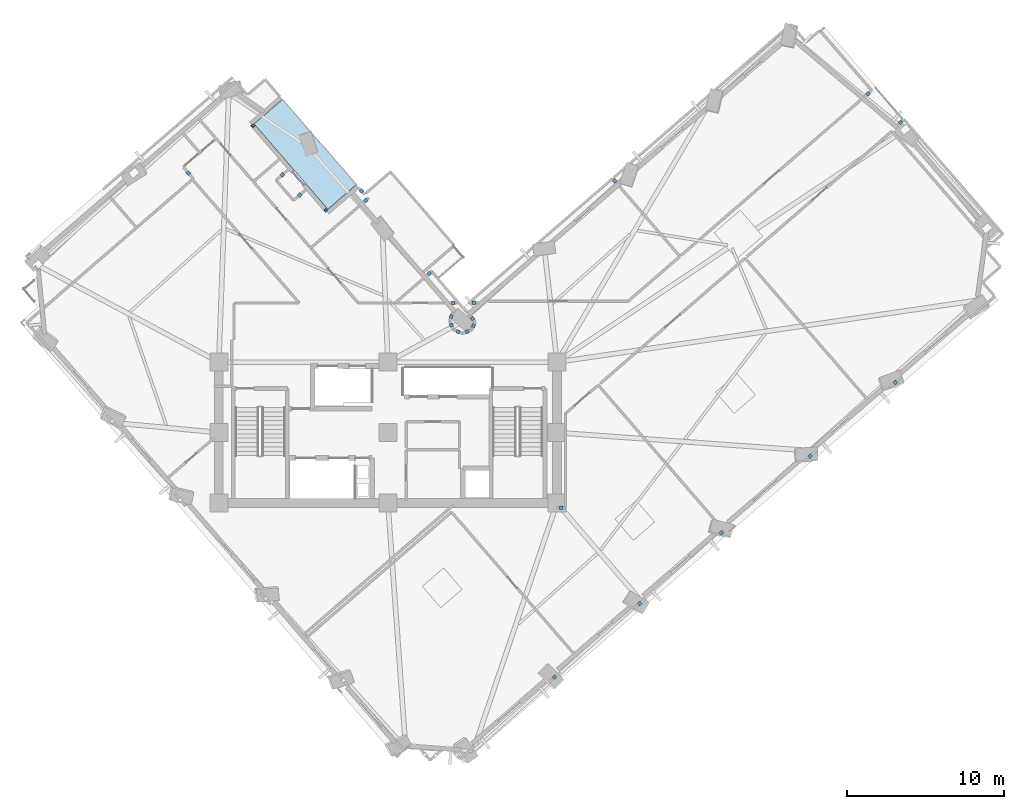
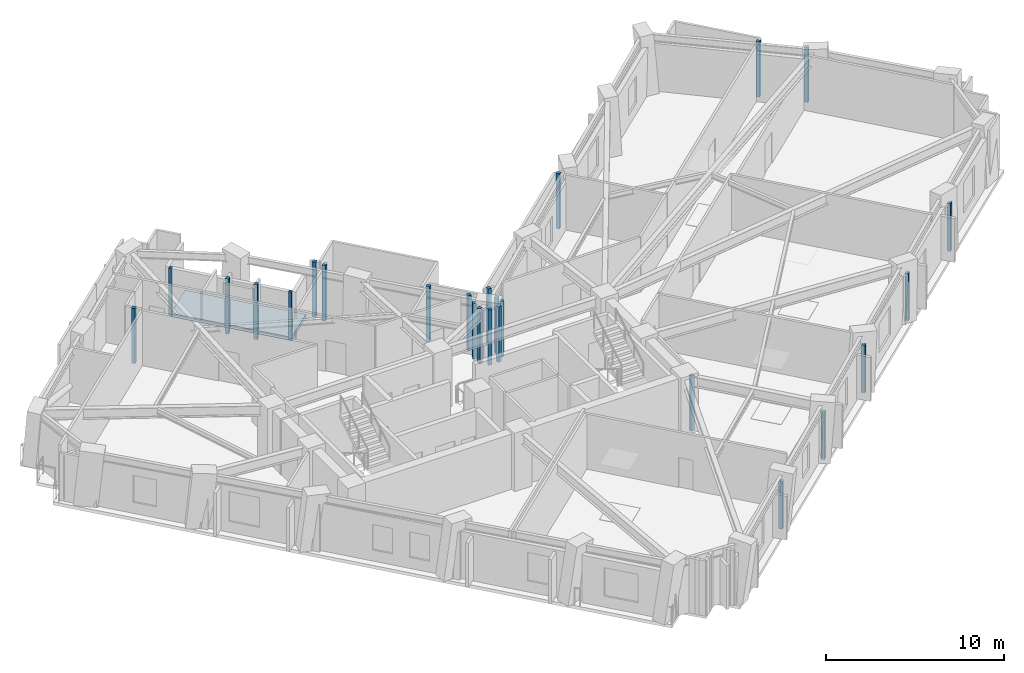
# One storey, part 4 of 14: 25 plates, 1 slab.
"""IFC4 building model written with IfcOpenShell, lengths in metres."""

from ifc_helpers import new_model, si_unit, direction, frame, origin, origin_2d, place, context, subcontext, project, spatial, polyline, rectangle, outline, extrude, material, layer, layer_set, type_object, element, save


model = new_model("IFC4")

# Units and contexts
model_context = context("Model", 3, precision=1e-05, world=origin(), true_north=direction((0.0, 1.0)))
body_context = subcontext(model_context, "Body", "Model", "MODEL_VIEW")
ifc_project = project(units=[si_unit("LENGTHUNIT", "METRE"), si_unit("AREAUNIT", "SQUARE_METRE"), si_unit("VOLUMEUNIT", "CUBIC_METRE"), si_unit("PLANEANGLEUNIT", "RADIAN"), si_unit("MASSUNIT", "GRAM", prefix="KILO")], contexts=[model_context])

# Site, building, storey
site_placement = place(None, origin())
site = spatial("IfcSite", under=ifc_project, at=site_placement, CompositionType="ELEMENT")
building_placement = place(site_placement, origin())
building = spatial("IfcBuilding", under=site, at=building_placement, Name="Gaonmaruhae Medical Tower", CompositionType="ELEMENT")
storey_placement = place(building_placement, frame((0.0, 0.0, 197.800048828125)))
storey = spatial("IfcBuildingStorey", under=building, at=storey_placement, Name="L47", CompositionType="ELEMENT", Elevation=197.800048828125)

# Plates
ifc_material_1 = material(Name="Anodised aluminium 6063-T6", Category="aluminium")
ifc_layer_1 = layer(ifc_material_1, 0.011962890625)
ifc_layer_set_1 = layer_set([ifc_layer_1], Name="Anodised aluminium 6063-T6")
plate_type = type_object("IfcPlateType", Name="PP-01 Interior Partition Corner Stiffener Plate", PredefinedType="SHEET", material=ifc_layer_set_1)
for number, where, z_axis, x_axis, name in (
    (1, (16.177734375, 31.891845703125, 0.0), (0.0, 0.0, 1.0), (0.654080957909, -0.756424550435, 0.0), "L47 Partition End Jamb Post Plate PLT-L47-ENDP-TERB-0"),
    (2, (20.834716796875, 26.506103515625, 0.0), (0.0, 0.0, 1.0), (0.654080957909, -0.756424550435, 0.0), "L47 Partition End Jamb Post Plate PLT-L47-ENDP-TERB-1"),
):
    element("IfcPlate", number, at=place(storey_placement, frame(where, z_axis=z_axis, x_axis=x_axis)), inside=storey, type_object=plate_type, Name=name, PredefinedType="SHEET", context=body_context, shape_type="SweptSolid", body=[
        extrude(rectangle(XDim=0.179931640625, YDim=0.179931640625, at=origin_2d()), origin(), (0.0, 0.0, 1.0), 3.264892578125),
    ])
for number, where, z_axis, x_axis, name in (
    (3, (35.43359375, -3.3330078125, 0.0), (0.0, 0.0, 1.0), (-0.756276124704, -0.654252568358, 0.0), "L47 Partition Corner Stiffener Plate PLT-L47-JGP-PW012"),
    (4, (46.112060546875, 5.8994140625, 0.0), (0.0, 0.0, 1.0), (-0.755762042736, -0.654846344388, 0.0), "L47 Partition Corner Stiffener Plate PLT-L47-JGP-PW018"),
    (5, (40.87939453125, 1.37548828125, 0.0), (0.0, 0.0, 1.0), (-0.756298961966, -0.654226168943, 0.0), "L47 Partition Corner Stiffener Plate PLT-L47-JGP-PW019"),
):
    element("IfcPlate", number, at=place(storey_placement, frame(where, z_axis=z_axis, x_axis=x_axis)), inside=storey, type_object=plate_type, Name=name, PredefinedType="SHEET", context=body_context, shape_type="SweptSolid", body=[
        extrude(rectangle(XDim=0.219970703125, YDim=0.219970703125, at=origin_2d()), origin(), (0.0, 0.0, 1.0), 3.264892578125),
    ])
plate_placement = place(storey_placement, frame((35.875, 7.5, 0.0), z_axis=(0.0, 0.0, 1.0), x_axis=(1.0, 0.0, 0.0)))
element("IfcPlate", 6, at=plate_placement, inside=storey, type_object=plate_type, Name="L47 Partition Corner Stiffener Plate PLT-L47-JGP-PW020", PredefinedType="SHEET", context=body_context, shape_type="SweptSolid", body=[
    extrude(rectangle(XDim=0.219970703125, YDim=0.219970703125, at=origin_2d()), origin(), (0.0, 0.0, 1.0), 3.780029296875),
])
for number, where, z_axis, x_axis, name in (
    (7, (51.77099609375, 10.7939453125, 0.0), (0.0, 0.0, 1.0), (-0.755819185983, -0.654780389215, 0.0), "L47 Partition Corner Stiffener Plate PLT-L47-JGP-PW024"),
    (8, (57.217041015625, 15.50341796875, 0.0), (0.0, 0.0, 1.0), (-0.756127660039, -0.654424145126, 0.0), "L47 Partition Corner Stiffener Plate PLT-L47-JGP-PW026"),
):
    element("IfcPlate", number, at=place(storey_placement, frame(where, z_axis=z_axis, x_axis=x_axis)), inside=storey, type_object=plate_type, Name=name, PredefinedType="SHEET", context=body_context, shape_type="SweptSolid", body=[
        extrude(rectangle(XDim=0.219970703125, YDim=0.219970703125, at=origin_2d()), origin(), (0.0, 0.0, 1.0), 3.264892578125),
    ])
for number, where, z_axis, x_axis, name in (
    (9, (30.275390625, 20.580078125, 0.0), (0.0, 0.0, 1.0), (-1.0, 0.0, 0.0), "L47 Partition Corner Stiffener Plate PLT-L47-JGP-PW046"),
    (10, (39.2880859375, 28.37353515625, 0.0), (0.0, 0.0, 1.0), (0.653433815947, -0.756983651196, 0.0), "L47 Partition Corner Stiffener Plate PLT-L47-JGP-PW048"),
    (11, (55.468017578125, 33.93994140625, 0.0), (0.0, 0.0, 1.0), (-0.756823964598, -0.653618762438, 0.0), "L47 Partition Corner Stiffener Plate PLT-L47-JGP-PW054"),
    (12, (23.3955078125, 27.133544921875, 0.0), (0.0, 0.0, 1.0), (0.756778331556, 0.653671597125, 0.0), "L47 Partition Corner Stiffener Plate PLT-L47-JGP-PW059"),
    (13, (27.4375, 22.45947265625, 0.0), (0.0, 0.0, 1.0), (-0.756778331556, -0.653671597125, 0.0), "L47 Partition Corner Stiffener Plate PLT-L47-JGP-PW061"),
    (14, (18.06103515625, 28.761962890625, 0.0), (0.0, 0.0, 1.0), (-0.756435966186, -0.654067755711, 0.0), "L47 Partition Corner Stiffener Plate PLT-L47-JGP-PW067"),
    (15, (19.173095703125, 27.47607421875, 0.0), (0.0, 0.0, 1.0), (0.756435966186, 0.654067755711, 0.0), "L47 Partition Corner Stiffener Plate PLT-L47-JGP-PW069"),
    (16, (23.12451171875, 27.741455078125, 0.0), (0.0, 0.0, 1.0), (0.654793580649, -0.755807757794, 0.0), "L47 Partition Corner Stiffener Plate PLT-L47-JGP-PW070"),
    (17, (12.055908203125, 28.87646484375, 0.0), (0.0, 0.0, 1.0), (0.654252568358, -0.756276124704, 0.0), "L47 Partition Corner Stiffener Plate PLT-L47-JGP-PW076"),
    (18, (30.20458984375, 19.5830078125, 0.0), (0.0, 0.0, 1.0), (0.654424145126, -0.756127660039, 0.0), "L47 Partition Corner Stiffener Plate PLT-L47-JGP-PW082"),
    (19, (30.2685546875, 19.12890625, 0.0), (0.0, 0.0, 1.0), (-0.382828550301, -0.923819409341, 0.0), "L47 Partition Corner Stiffener Plate PLT-L47-JGP-PW083"),
    (20, (29.867431640625, 18.74951171875, 0.0), (0.0, 0.0, 1.0), (-0.923310793754, -0.384053613623, 0.0), "L47 Partition Corner Stiffener Plate PLT-L47-JGP-PW084"),
    (21, (29.278076171875, 18.74951171875, 0.0), (0.0, 0.0, 1.0), (-0.923538533177, 0.383505642381, 0.0), "L47 Partition Corner Stiffener Plate PLT-L47-JGP-PW085"),
    (22, (28.861083984375, 19.16650390625, 0.0), (0.0, 0.0, 1.0), (-0.382715681611, 0.923866173777, 0.0), "L47 Partition Corner Stiffener Plate PLT-L47-JGP-PW086"),
    (23, (28.846923828125, 19.721435546875, 0.0), (0.0, 0.0, 1.0), (0.382973658791, 0.923759263376, 0.0), "L47 Partition Corner Stiffener Plate PLT-L47-JGP-PW087"),
    (24, (28.988525390625, 20.577880859375, 0.0), (0.0, 0.0, 1.0), (-1.0, 0.0, 0.0), "L47 Partition Corner Stiffener Plate PLT-L47-JGP-PW088"),
    (25, (57.556884765625, 32.12353515625, 0.0), (0.0, 0.0, 1.0), (0.756435966186, 0.654067755711, 0.0), "L47 Partition Corner Stiffener Plate PLT-L47-JGP-PW097"),
):
    element("IfcPlate", number, at=place(storey_placement, frame(where, z_axis=z_axis, x_axis=x_axis)), inside=storey, type_object=plate_type, Name=name, PredefinedType="SHEET", context=body_context, shape_type="SweptSolid", body=[
        extrude(rectangle(XDim=0.219970703125, YDim=0.219970703125, at=origin_2d()), origin(), (0.0, 0.0, 1.0), 3.780029296875),
    ])

# Slab
ifc_material_2 = material(Name="Concrete C40/50", Category="concrete")
ifc_layer_2 = layer(ifc_material_2, 0.239990234375)
ifc_layer_set_2 = layer_set([ifc_layer_2], Name="Concrete C40/50")
slab_type = type_object("IfcSlabType", Name="TS-240 Sky Garden & Recovery Terrace Slab", PredefinedType="FLOOR", material=ifc_layer_set_2)
slab_placement = place(storey_placement, frame((0.0, 0.0, -0.239990234375)))
element("IfcSlab", 26, at=slab_placement, inside=storey, type_object=slab_type, Name="L47 Outdoor Recovery Terrace Slab", PredefinedType="FLOOR", context=body_context, shape_type="SweptSolid", body=[
    extrude(outline(polyline([(20.966796875, 26.5673828125), (22.7822265625, 28.13720703125), (18.072998046875, 33.58349609375), (16.257568359375, 32.013671875), (20.966796875, 26.5673828125)])), origin(), (0.0, 0.0, 1.0), 0.239990234375),
])

save(model, "model.ifc")
